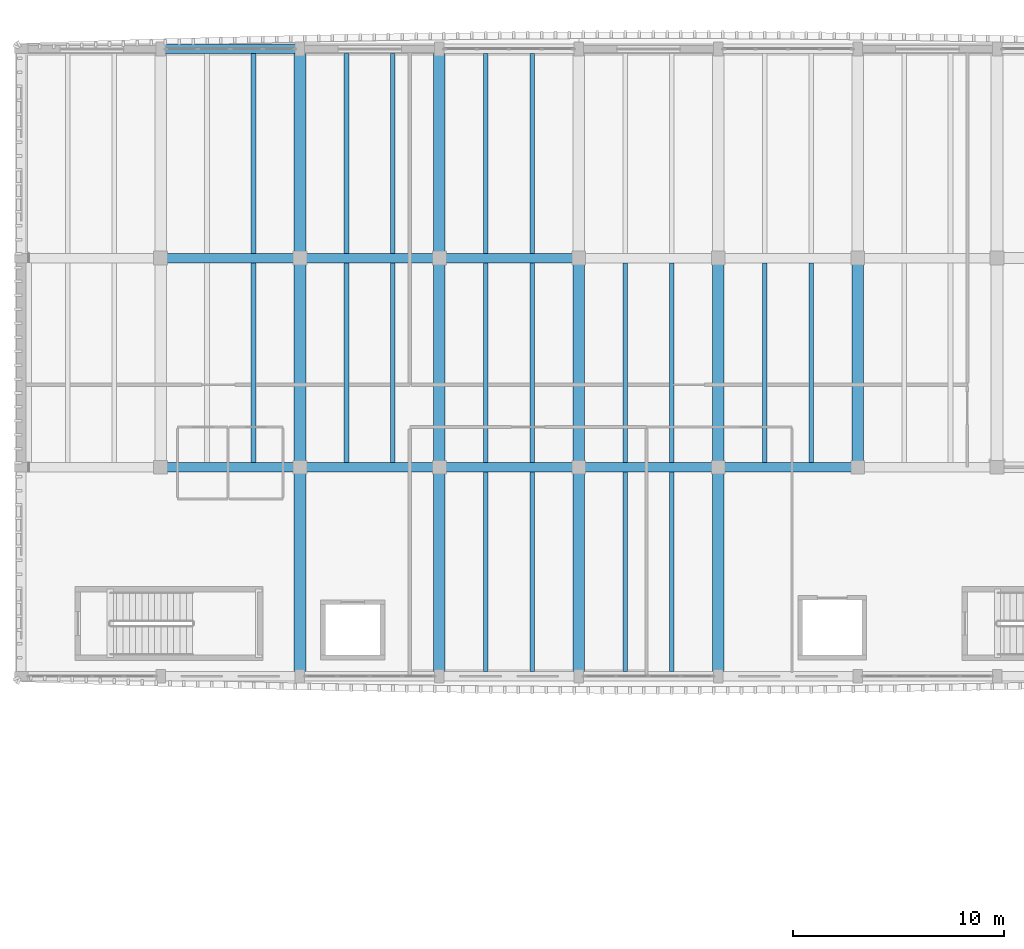
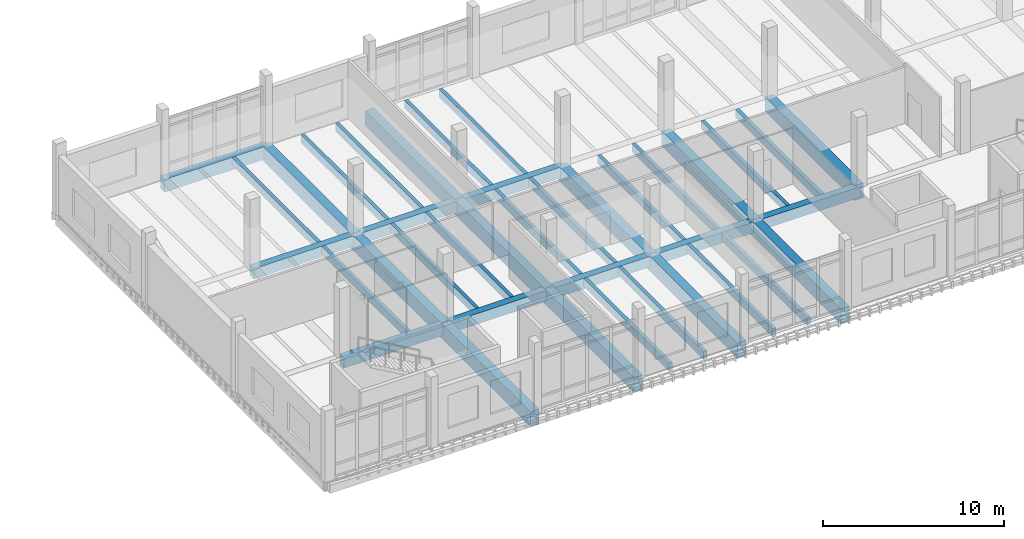
# One storey, part 15 of 50: 38 beams.
"""IFC4 building model written with IfcOpenShell, lengths in metres."""

import ifcopenshell
import ifcopenshell.guid

model = None  # the IFC model being written
_history = None  # IfcOwnerHistory: only IFC2X3 demands one
_inside = {}  # id of a spatial element -> (the spatial element, [elements in it])
_under = {}  # id of a project, library or spatial element -> (it, [spatial elements below it])
_declared = {}  # id of a project -> (the project, [libraries it declares])
_typed = {}  # id of a type object -> (the type object, [elements of that type])
_made_of = {}  # id of a material, layer set ... -> (it, [elements and type objects made of it])


def new_model(schema):
    """Start an empty IFC model of exactly this schema.

    Asked for "IFC4X3", IfcOpenShell would pick the latest addendum, in which some entities
    have other attributes; the version numbers below select the first issue.
    IFC2X3 requires an IfcOwnerHistory on every rooted entity: one is made here for all.
    """
    global model, _history
    if schema == "IFC4X3":
        model = ifcopenshell.file(schema_version=(4, 3, 0, 0))
    else:
        model = ifcopenshell.file(schema=schema)
    _inside.clear()
    _under.clear()
    _declared.clear()
    _typed.clear()
    _made_of.clear()
    _history = None
    if model.schema == "IFC2X3":
        org = make("IfcOrganization", Name="unknown")
        user = make(
            "IfcPersonAndOrganization",
            ThePerson=make("IfcPerson", FamilyName="unknown"),
            TheOrganization=org,
        )
        app = make(
            "IfcApplication",
            ApplicationDeveloper=org,
            Version="unknown",
            ApplicationFullName="unknown",
            ApplicationIdentifier="unknown",
        )
        _history = make(
            "IfcOwnerHistory",
            OwningUser=user,
            OwningApplication=app,
            ChangeAction="ADDED",
            CreationDate=0,
        )
    return model


def make(cls, **values):
    """One entity of the class cls with the attributes given. An attribute that is None is left unset."""
    return model.create_entity(
        cls, **{name: value for name, value in values.items() if value is not None}
    )


def rooted(cls, **values):
    """An entity with a GlobalId (a new one), such as an element, a storey or a relation."""
    return make(cls, GlobalId=ifcopenshell.guid.new(), OwnerHistory=_history, **values)


def si_unit(unit_type, name, prefix=None):
    """IfcSIUnit, for example si_unit("LENGTHUNIT", "METRE", prefix="MILLI")."""
    return make("IfcSIUnit", UnitType=unit_type, Prefix=prefix, Name=name)


def assignment(units):
    """IfcUnitAssignment: the units of a project."""
    return None if units is None else make("IfcUnitAssignment", Units=units)


def point(xyz):
    """IfcCartesianPoint."""
    return None if xyz is None else make("IfcCartesianPoint", Coordinates=xyz)


def direction(xyz):
    """IfcDirection."""
    return None if xyz is None else make("IfcDirection", DirectionRatios=xyz)


def frame(location, z_axis=None, x_axis=None):
    """IfcAxis2Placement3D, a coordinate frame: its origin and axes. An axis left out is left unset."""
    return make(
        "IfcAxis2Placement3D",
        Location=point(location),
        Axis=direction(z_axis),
        RefDirection=direction(x_axis),
    )


def frame_2d(location, x_axis=None):
    """IfcAxis2Placement2D, a coordinate frame in the plane: its origin and x axis."""
    return make(
        "IfcAxis2Placement2D", Location=point(location), RefDirection=direction(x_axis)
    )


def origin():
    """The frame at (0, 0, 0) with its axes left unset."""
    return frame((0.0, 0.0, 0.0))


def origin_2d():
    """The frame at (0, 0) in the plane with its x axis left unset."""
    return frame_2d((0.0, 0.0))


def place(relative_to, where):
    """IfcLocalPlacement: puts the frame where relative to a parent placement (None: the world)."""
    return make(
        "IfcLocalPlacement", PlacementRelTo=relative_to, RelativePlacement=where
    )


def context(
    kind, dimensions, precision=None, world=None, true_north=None, identifier=None
):
    """IfcGeometricRepresentationContext, for example the 3D "Model" context."""
    return make(
        "IfcGeometricRepresentationContext",
        ContextIdentifier=identifier,
        ContextType=kind,
        CoordinateSpaceDimension=dimensions,
        Precision=precision,
        WorldCoordinateSystem=world,
        TrueNorth=true_north,
    )


def subcontext(parent, identifier, kind, view, scale=None):
    """IfcGeometricRepresentationSubContext, for example "Body" below "Model"."""
    return make(
        "IfcGeometricRepresentationSubContext",
        ContextIdentifier=identifier,
        ContextType=kind,
        ParentContext=parent,
        TargetScale=scale,
        TargetView=view,
    )


def project(units=None, contexts=None):
    """IfcProject with its units and contexts."""
    return rooted(
        "IfcProject",
        Name="project",
        RepresentationContexts=contexts,
        UnitsInContext=assignment(units),
    )


def spatial(cls, under=None, at=None, **own):
    """A site, building, storey or space (cls), placed at a placement, below another one or the project."""
    s = rooted(cls, ObjectPlacement=at, **own)
    if under is not None:
        _under.setdefault(under.id(), (under, []))[1].append(s)
    return s


def profile(cls, at=None, kind="AREA", **sizes):
    """A parametric profile (cls). Its sizes go by their IFC names, for example OverallWidth=200.0."""
    return make(cls, ProfileType=kind, Position=at, **sizes)


def rectangle(**sizes):
    """IfcRectangleProfileDef."""
    return profile("IfcRectangleProfileDef", **sizes)


def extrude(swept, where, along, depth):
    """IfcExtrudedAreaSolid: the profile swept, set in the frame where, extruded along a direction by depth."""
    return make(
        "IfcExtrudedAreaSolid",
        SweptArea=swept,
        Position=where,
        ExtrudedDirection=direction(along),
        Depth=depth,
    )


def shape(context_of_items, identifier, shape_type, items):
    """IfcShapeRepresentation: the items that make up one representation, for example the "Body"."""
    return make(
        "IfcShapeRepresentation",
        ContextOfItems=context_of_items,
        RepresentationIdentifier=identifier,
        RepresentationType=shape_type,
        Items=items,
    )


def material(Name=None, Category=None):
    """IfcMaterial."""
    return make("IfcMaterial", Name=Name, Category=Category)


def material_profile(
    of_material, cross_section, Name=None, Category=None, Priority=None
):
    """IfcMaterialProfile: a cross section and its material."""
    return make(
        "IfcMaterialProfile",
        Name=Name,
        Material=of_material,
        Profile=cross_section,
        Priority=Priority,
        Category=Category,
    )


def profile_set(profiles, Name=None, composite=None):
    """IfcMaterialProfileSet."""
    return make(
        "IfcMaterialProfileSet",
        Name=Name,
        MaterialProfiles=profiles,
        CompositeProfile=composite,
    )


def made_of(thing, what):
    """Note that an element or type object is made of a material, layer set ...; save() writes the relation."""
    if what is not None:
        _made_of.setdefault(what.id(), (what, []))[1].append(thing)
    return thing


def type_object(cls, material=None, **own):
    """A type object (cls), such as IfcWallType, which elements share."""
    return made_of(rooted(cls, **own), material)


def element(
    cls,
    number,
    at=None,
    inside=None,
    cuts=None,
    type_object=None,
    material=None,
    context=None,
    identifier="Body",
    shape_type=None,
    held_by="IfcProductDefinitionShape",
    body=None,
    shapes=None,
    **own,
):
    """One element of the class cls, such as IfcWall. Its Tag is "e" and its number.

    at: its placement. inside: the storey or other place that contains it. cuts: it is an
    opening in that element (IfcRelVoidsElement). A single representation is given by context,
    identifier, shape_type and body (its items); several are given by shapes. held_by: the class
    of the entity that holds the representations. save() writes the other relations.
    """
    e = rooted(cls, Tag="e%d" % number, ObjectPlacement=at, **own)
    if body is not None:
        shapes = [shape(context, identifier, shape_type, body)]
    if shapes is not None:
        e.Representation = make(held_by, Representations=shapes)
    if inside is not None:
        _inside.setdefault(inside.id(), (inside, []))[1].append(e)
    if cuts is not None:
        rooted(
            "IfcRelVoidsElement", RelatingBuildingElement=cuts, RelatedOpeningElement=e
        )
    if type_object is not None:
        _typed.setdefault(type_object.id(), (type_object, []))[1].append(e)
    return made_of(e, material)


def aggregate(whole, parts):
    """IfcRelAggregates: a whole, such as a stair, and the parts it consists of."""
    return rooted("IfcRelAggregates", RelatingObject=whole, RelatedObjects=parts)


def save(model, path):
    """Write the relations noted so far, then the file.

    IfcRelAggregates (storeys below a building ...), IfcRelContainedInSpatialStructure (elements
    in a storey), IfcRelDefinesByType, IfcRelAssociatesMaterial and IfcRelDeclares: one each for
    every whole, place, type object, material and project.
    """
    for whole, parts in _under.values():
        aggregate(whole, parts)
    for where, things in _inside.values():
        rooted(
            "IfcRelContainedInSpatialStructure",
            RelatedElements=things,
            RelatingStructure=where,
        )
    for kind, things in _typed.values():
        rooted("IfcRelDefinesByType", RelatedObjects=things, RelatingType=kind)
    for what, things in _made_of.values():
        rooted("IfcRelAssociatesMaterial", RelatedObjects=things, RelatingMaterial=what)
    for by, libraries in _declared.values():
        rooted("IfcRelDeclares", RelatingContext=by, RelatedDefinitions=libraries)
    model.write(path)


model = new_model("IFC4")

# Units and contexts
model_context = context("Model", 3, precision=1e-05, world=origin(), true_north=direction((0.0, 1.0)))
body_context = subcontext(model_context, "Body", "Model", "MODEL_VIEW")
ifc_project = project(units=[si_unit("LENGTHUNIT", "METRE"), si_unit("AREAUNIT", "SQUARE_METRE"), si_unit("VOLUMEUNIT", "CUBIC_METRE"), si_unit("PLANEANGLEUNIT", "RADIAN"), si_unit("MASSUNIT", "GRAM", prefix="KILO")], contexts=[model_context])

# Site, building, storey
site_placement = place(None, origin())
site = spatial("IfcSite", under=ifc_project, at=site_placement, CompositionType="ELEMENT")
building_placement = place(site_placement, origin())
building = spatial("IfcBuilding", under=site, at=building_placement, Name="Dornvale Research Institute", CompositionType="ELEMENT")
storey_placement = place(building_placement, frame((0.0, 0.0, 19.800048828125)))
storey = spatial("IfcBuildingStorey", under=building, at=storey_placement, Name="L04", CompositionType="ELEMENT", Elevation=19.800048828125)

# Beams
ifc_material_1 = material(Name="Concrete f'c 45 MPa (C35/45)", Category="concrete")
ifc_material_profile_1 = material_profile(ifc_material_1, rectangle(XDim=0.449951171875, YDim=0.715087890625, at=origin_2d()), Name="RC 450x715")
ifc_profile_set_1 = profile_set([ifc_material_profile_1], Name="Concrete f'c 45 MPa (C35/45)")
beam_type_1 = type_object("IfcBeamType", Name="Beam_RC450x715_Lab", PredefinedType="BEAM", material=ifc_profile_set_1)
for number, where, z_axis, x_axis, name in (
    (1, (125.39990234375, 102.300048828125, -0.357666015625), (1.0, 0.0, 0.0), (0.0, 1.0, 0.0), "L04 primary girder #1182"),
    (2, (132.0, 102.300048828125, -0.357666015625), (1.0, 0.0, 0.0), (0.0, 1.0, 0.0), "L04 primary girder #1183"),
):
    element("IfcBeam", number, at=place(storey_placement, frame(where, z_axis=z_axis, x_axis=x_axis)), inside=storey, type_object=beam_type_1, Name=name, PredefinedType="BEAM", context=body_context, shape_type="SweptSolid", body=[
        extrude(rectangle(XDim=0.449951171875, YDim=0.715087890625, at=origin_2d()), origin(), (0.0, 0.0, 1.0), 6.60009765625),
    ])
beam_1_placement = place(storey_placement, frame((138.60009765625, 102.300048828125, -0.357666015625), z_axis=(1.0, 0.0, 0.0), x_axis=(0.0, 1.0, 0.0)))
element("IfcBeam", 3, at=beam_1_placement, inside=storey, type_object=beam_type_1, Name="L04 primary girder #1184", PredefinedType="BEAM", context=body_context, shape_type="SweptSolid", body=[
    extrude(rectangle(XDim=0.449951171875, YDim=0.715087890625, at=origin_2d()), origin(), (0.0, 0.0, 1.0), 6.599853515625),
])
beam_2_placement = place(storey_placement, frame((145.199951171875, 102.300048828125, -0.357666015625), z_axis=(1.0, 0.0, 0.0), x_axis=(0.0, 1.0, 0.0)))
element("IfcBeam", 4, at=beam_2_placement, inside=storey, type_object=beam_type_1, Name="L04 primary girder #1185", PredefinedType="BEAM", context=body_context, shape_type="SweptSolid", body=[
    extrude(rectangle(XDim=0.449951171875, YDim=0.715087890625, at=origin_2d()), origin(), (0.0, 0.0, 1.0), 6.60009765625),
])
beam_3_placement = place(storey_placement, frame((151.800048828125, 102.300048828125, -0.357666015625), z_axis=(1.0, 0.0, 0.0), x_axis=(0.0, 1.0, 0.0)))
element("IfcBeam", 5, at=beam_3_placement, inside=storey, type_object=beam_type_1, Name="L04 primary girder #1186", PredefinedType="BEAM", context=body_context, shape_type="SweptSolid", body=[
    extrude(rectangle(XDim=0.449951171875, YDim=0.715087890625, at=origin_2d()), origin(), (0.0, 0.0, 1.0), 6.599853515625),
])
for number, where, z_axis, x_axis, name in (
    (6, (125.39990234375, 112.199951171875, -0.357666015625), (1.0, 0.0, 0.0), (0.0, 1.0, 0.0), "L04 primary girder #1191"),
    (7, (132.0, 112.199951171875, -0.357666015625), (1.0, 0.0, 0.0), (0.0, 1.0, 0.0), "L04 primary girder #1192"),
):
    element("IfcBeam", number, at=place(storey_placement, frame(where, z_axis=z_axis, x_axis=x_axis)), inside=storey, type_object=beam_type_1, Name=name, PredefinedType="BEAM", context=body_context, shape_type="SweptSolid", body=[
        extrude(rectangle(XDim=0.449951171875, YDim=0.715087890625, at=origin_2d()), origin(), (0.0, 0.0, 1.0), 6.60009765625),
    ])
beam_4_placement = place(storey_placement, frame((138.60009765625, 112.199951171875, -0.357666015625), z_axis=(1.0, 0.0, 0.0), x_axis=(0.0, 1.0, 0.0)))
element("IfcBeam", 8, at=beam_4_placement, inside=storey, type_object=beam_type_1, Name="L04 primary girder #1193", PredefinedType="BEAM", context=body_context, shape_type="SweptSolid", body=[
    extrude(rectangle(XDim=0.449951171875, YDim=0.715087890625, at=origin_2d()), origin(), (0.0, 0.0, 1.0), 6.599853515625),
])
ifc_material_2 = material(Name="Concrete f'c 45 MPa (C35/45)", Category="concrete")
ifc_material_profile_2 = material_profile(ifc_material_2, rectangle(XDim=0.550048828125, YDim=1.0, at=origin_2d()), Name="RC 550x1000")
ifc_profile_set_2 = profile_set([ifc_material_profile_2], Name="Concrete f'c 45 MPa (C35/45)")
beam_type_2 = type_object("IfcBeamType", Name="Beam_RC550x1000_Girder", PredefinedType="BEAM", material=ifc_profile_set_2)
beam_5_placement = place(storey_placement, frame((132.0, 92.39990234375, -0.5), z_axis=(0.0, 1.0, 0.0), x_axis=(-1.0, 0.0, 0.0)))
element("IfcBeam", 9, at=beam_5_placement, inside=storey, type_object=beam_type_2, Name="L04 transverse girder #1213", PredefinedType="BEAM", context=body_context, shape_type="SweptSolid", body=[
    extrude(rectangle(XDim=0.550048828125, YDim=1.0, at=origin_2d()), origin(), (0.0, 0.0, 1.0), 9.900146484375),
])
beam_6_placement = place(storey_placement, frame((132.0, 102.300048828125, -0.5), z_axis=(0.0, 1.0, 0.0), x_axis=(-1.0, 0.0, 0.0)))
element("IfcBeam", 10, at=beam_6_placement, inside=storey, type_object=beam_type_2, Name="L04 transverse girder #1214", PredefinedType="BEAM", context=body_context, shape_type="SweptSolid", body=[
    extrude(rectangle(XDim=0.550048828125, YDim=1.0, at=origin_2d()), origin(), (0.0, 0.0, 1.0), 9.89990234375),
])
for number, where, z_axis, x_axis, name in (
    (11, (132.0, 112.199951171875, -0.5), (0.0, 1.0, 0.0), (-1.0, 0.0, 0.0), "L04 transverse girder #1215"),
    (12, (138.60009765625, 92.39990234375, -0.5), (0.0, 1.0, 0.0), (-1.0, 0.0, 0.0), "L04 transverse girder #1216"),
):
    element("IfcBeam", number, at=place(storey_placement, frame(where, z_axis=z_axis, x_axis=x_axis)), inside=storey, type_object=beam_type_2, Name=name, PredefinedType="BEAM", context=body_context, shape_type="SweptSolid", body=[
        extrude(rectangle(XDim=0.550048828125, YDim=1.0, at=origin_2d()), origin(), (0.0, 0.0, 1.0), 9.900146484375),
    ])
beam_7_placement = place(storey_placement, frame((138.60009765625, 102.300048828125, -0.5), z_axis=(0.0, 1.0, 0.0), x_axis=(-1.0, 0.0, 0.0)))
element("IfcBeam", 13, at=beam_7_placement, inside=storey, type_object=beam_type_2, Name="L04 transverse girder #1217", PredefinedType="BEAM", context=body_context, shape_type="SweptSolid", body=[
    extrude(rectangle(XDim=0.550048828125, YDim=1.0, at=origin_2d()), origin(), (0.0, 0.0, 1.0), 9.89990234375),
])
for number, where, z_axis, x_axis, name in (
    (14, (138.60009765625, 112.199951171875, -0.5), (0.0, 1.0, 0.0), (-1.0, 0.0, 0.0), "L04 transverse girder #1218"),
    (15, (145.199951171875, 92.39990234375, -0.5), (0.0, 1.0, 0.0), (-1.0, 0.0, 0.0), "L04 transverse girder #1219"),
):
    element("IfcBeam", number, at=place(storey_placement, frame(where, z_axis=z_axis, x_axis=x_axis)), inside=storey, type_object=beam_type_2, Name=name, PredefinedType="BEAM", context=body_context, shape_type="SweptSolid", body=[
        extrude(rectangle(XDim=0.550048828125, YDim=1.0, at=origin_2d()), origin(), (0.0, 0.0, 1.0), 9.900146484375),
    ])
beam_8_placement = place(storey_placement, frame((145.199951171875, 102.300048828125, -0.5), z_axis=(0.0, 1.0, 0.0), x_axis=(-1.0, 0.0, 0.0)))
element("IfcBeam", 16, at=beam_8_placement, inside=storey, type_object=beam_type_2, Name="L04 transverse girder #1220", PredefinedType="BEAM", context=body_context, shape_type="SweptSolid", body=[
    extrude(rectangle(XDim=0.550048828125, YDim=1.0, at=origin_2d()), origin(), (0.0, 0.0, 1.0), 9.89990234375),
])
beam_9_placement = place(storey_placement, frame((151.800048828125, 92.39990234375, -0.5), z_axis=(0.0, 1.0, 0.0), x_axis=(-1.0, 0.0, 0.0)))
element("IfcBeam", 17, at=beam_9_placement, inside=storey, type_object=beam_type_2, Name="L04 transverse girder #1222", PredefinedType="BEAM", context=body_context, shape_type="SweptSolid", body=[
    extrude(rectangle(XDim=0.550048828125, YDim=1.0, at=origin_2d()), origin(), (0.0, 0.0, 1.0), 9.900146484375),
])
for number, where, z_axis, x_axis, name in (
    (18, (151.800048828125, 102.300048828125, -0.5), (0.0, 1.0, 0.0), (-1.0, 0.0, 0.0), "L04 transverse girder #1223"),
    (19, (158.39990234375, 102.300048828125, -0.5), (0.0, 1.0, 0.0), (-1.0, 0.0, 0.0), "L04 transverse girder #1225"),
):
    element("IfcBeam", number, at=place(storey_placement, frame(where, z_axis=z_axis, x_axis=x_axis)), inside=storey, type_object=beam_type_2, Name=name, PredefinedType="BEAM", context=body_context, shape_type="SweptSolid", body=[
        extrude(rectangle(XDim=0.550048828125, YDim=1.0, at=origin_2d()), origin(), (0.0, 0.0, 1.0), 9.89990234375),
    ])
ifc_material_3 = material(Name="Concrete f'c 45 MPa (C35/45)", Category="concrete")
ifc_material_profile_3 = material_profile(ifc_material_3, rectangle(XDim=0.219970703125, YDim=0.534912109375, at=origin_2d()), Name="RC 220x535")
ifc_profile_set_3 = profile_set([ifc_material_profile_3], Name="Concrete f'c 45 MPa (C35/45)")
beam_type_3 = type_object("IfcBeamType", Name="Joist_RC220x535_Waffle", PredefinedType="JOIST", material=ifc_profile_set_3)
beam_10_placement = place(storey_placement, frame((129.800048828125, 102.52490234375, -0.267578125), z_axis=(0.0, 1.0, 0.0), x_axis=(-1.0, 0.0, 0.0)))
element("IfcBeam", 20, at=beam_10_placement, inside=storey, type_object=beam_type_3, Name="L04 laboratory waffle joist #591", PredefinedType="JOIST", context=body_context, shape_type="SweptSolid", body=[
    extrude(rectangle(XDim=0.219970703125, YDim=0.534912109375, at=origin_2d()), origin(), (0.0, 0.0, 1.0), 9.4501953125),
])
beam_11_placement = place(storey_placement, frame((129.800048828125, 112.425048828125, -0.267578125), z_axis=(0.0, 1.0, 0.0), x_axis=(-1.0, 0.0, 0.0)))
element("IfcBeam", 21, at=beam_11_placement, inside=storey, type_object=beam_type_3, Name="L04 laboratory waffle joist #593", PredefinedType="JOIST", context=body_context, shape_type="SweptSolid", body=[
    extrude(rectangle(XDim=0.219970703125, YDim=0.534912109375, at=origin_2d()), origin(), (0.0, 0.0, 1.0), 9.449951171875),
])
for number, where, z_axis, x_axis, name in (
    (22, (134.199951171875, 102.52490234375, -0.267578125), (0.0, 1.0, 0.0), (-1.0, 0.0, 0.0), "L04 laboratory waffle joist #594"),
    (23, (136.39990234375, 102.52490234375, -0.267578125), (0.0, 1.0, 0.0), (-1.0, 0.0, 0.0), "L04 laboratory waffle joist #595"),
):
    element("IfcBeam", number, at=place(storey_placement, frame(where, z_axis=z_axis, x_axis=x_axis)), inside=storey, type_object=beam_type_3, Name=name, PredefinedType="JOIST", context=body_context, shape_type="SweptSolid", body=[
        extrude(rectangle(XDim=0.219970703125, YDim=0.534912109375, at=origin_2d()), origin(), (0.0, 0.0, 1.0), 9.4501953125),
    ])
for number, where, z_axis, x_axis, name in (
    (24, (134.199951171875, 112.425048828125, -0.267578125), (0.0, 1.0, 0.0), (-1.0, 0.0, 0.0), "L04 laboratory waffle joist #596"),
    (25, (136.39990234375, 112.425048828125, -0.267578125), (0.0, 1.0, 0.0), (-1.0, 0.0, 0.0), "L04 laboratory waffle joist #597"),
    (26, (140.800048828125, 92.625, -0.267578125), (0.0, 1.0, 0.0), (-1.0, 0.0, 0.0), "L04 laboratory waffle joist #598"),
    (27, (143.0, 92.625, -0.267578125), (0.0, 1.0, 0.0), (-1.0, 0.0, 0.0), "L04 laboratory waffle joist #599"),
):
    element("IfcBeam", number, at=place(storey_placement, frame(where, z_axis=z_axis, x_axis=x_axis)), inside=storey, type_object=beam_type_3, Name=name, PredefinedType="JOIST", context=body_context, shape_type="SweptSolid", body=[
        extrude(rectangle(XDim=0.219970703125, YDim=0.534912109375, at=origin_2d()), origin(), (0.0, 0.0, 1.0), 9.449951171875),
    ])
for number, where, z_axis, x_axis, name in (
    (28, (140.800048828125, 102.52490234375, -0.267578125), (0.0, 1.0, 0.0), (-1.0, 0.0, 0.0), "L04 laboratory waffle joist #600"),
    (29, (143.0, 102.52490234375, -0.267578125), (0.0, 1.0, 0.0), (-1.0, 0.0, 0.0), "L04 laboratory waffle joist #601"),
):
    element("IfcBeam", number, at=place(storey_placement, frame(where, z_axis=z_axis, x_axis=x_axis)), inside=storey, type_object=beam_type_3, Name=name, PredefinedType="JOIST", context=body_context, shape_type="SweptSolid", body=[
        extrude(rectangle(XDim=0.219970703125, YDim=0.534912109375, at=origin_2d()), origin(), (0.0, 0.0, 1.0), 9.4501953125),
    ])
for number, where, z_axis, x_axis, name in (
    (30, (140.800048828125, 112.425048828125, -0.267578125), (0.0, 1.0, 0.0), (-1.0, 0.0, 0.0), "L04 laboratory waffle joist #602"),
    (31, (143.0, 112.425048828125, -0.267578125), (0.0, 1.0, 0.0), (-1.0, 0.0, 0.0), "L04 laboratory waffle joist #603"),
    (32, (147.39990234375, 92.625, -0.267578125), (0.0, 1.0, 0.0), (-1.0, 0.0, 0.0), "L04 laboratory waffle joist #604"),
    (33, (149.60009765625, 92.625, -0.267578125), (0.0, 1.0, 0.0), (-1.0, 0.0, 0.0), "L04 laboratory waffle joist #605"),
):
    element("IfcBeam", number, at=place(storey_placement, frame(where, z_axis=z_axis, x_axis=x_axis)), inside=storey, type_object=beam_type_3, Name=name, PredefinedType="JOIST", context=body_context, shape_type="SweptSolid", body=[
        extrude(rectangle(XDim=0.219970703125, YDim=0.534912109375, at=origin_2d()), origin(), (0.0, 0.0, 1.0), 9.449951171875),
    ])
for number, where, z_axis, x_axis, name in (
    (34, (147.39990234375, 102.52490234375, -0.267578125), (0.0, 1.0, 0.0), (-1.0, 0.0, 0.0), "L04 laboratory waffle joist #606"),
    (35, (149.60009765625, 102.52490234375, -0.267578125), (0.0, 1.0, 0.0), (-1.0, 0.0, 0.0), "L04 laboratory waffle joist #607"),
    (36, (154.0, 102.52490234375, -0.267578125), (0.0, 1.0, 0.0), (-1.0, 0.0, 0.0), "L04 laboratory waffle joist #610"),
    (37, (156.199951171875, 102.52490234375, -0.267578125), (0.0, 1.0, 0.0), (-1.0, 0.0, 0.0), "L04 laboratory waffle joist #611"),
):
    element("IfcBeam", number, at=place(storey_placement, frame(where, z_axis=z_axis, x_axis=x_axis)), inside=storey, type_object=beam_type_3, Name=name, PredefinedType="JOIST", context=body_context, shape_type="SweptSolid", body=[
        extrude(rectangle(XDim=0.219970703125, YDim=0.534912109375, at=origin_2d()), origin(), (0.0, 0.0, 1.0), 9.4501953125),
    ])
ifc_material_4 = material(Name="Concrete f'c 45 MPa (C35/45)", Category="concrete")
ifc_material_profile_4 = material_profile(ifc_material_4, rectangle(XDim=0.449951171875, YDim=0.85009765625, at=origin_2d()), Name="RC 450x850")
ifc_profile_set_4 = profile_set([ifc_material_profile_4], Name="Concrete f'c 45 MPa (C35/45)")
beam_type_4 = type_object("IfcBeamType", Name="Spandrel_RC450x850_Ext", PredefinedType="SPANDREL", material=ifc_profile_set_4)
beam_12_placement = place(storey_placement, frame((125.39990234375, 122.10009765625, -0.425048828125), z_axis=(1.0, 0.0, 0.0), x_axis=(0.0, 1.0, 0.0)))
element("IfcBeam", 38, at=beam_12_placement, inside=storey, type_object=beam_type_4, Name="L04 perimeter spandrel #1200", PredefinedType="SPANDREL", context=body_context, shape_type="SweptSolid", body=[
    extrude(rectangle(XDim=0.449951171875, YDim=0.85009765625, at=origin_2d()), origin(), (0.0, 0.0, 1.0), 6.60009765625),
])

save(model, "model.ifc")
